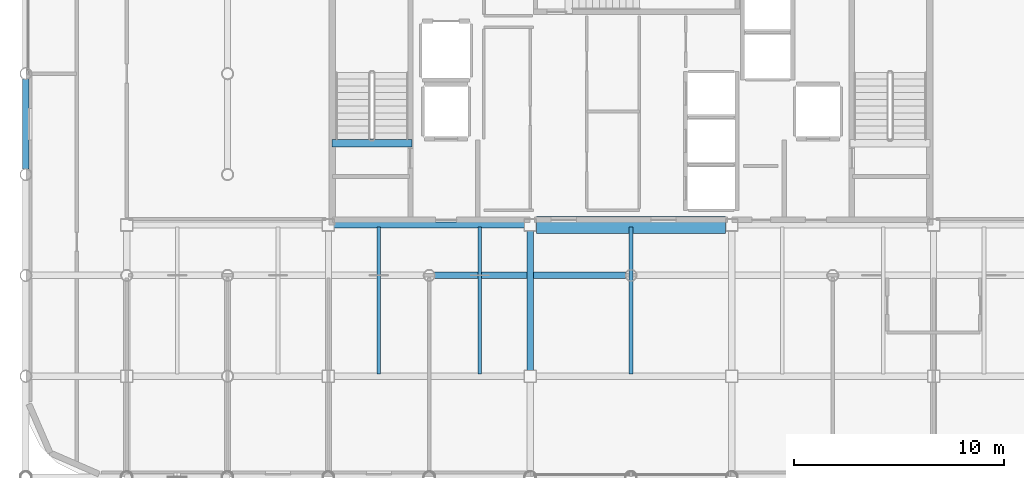
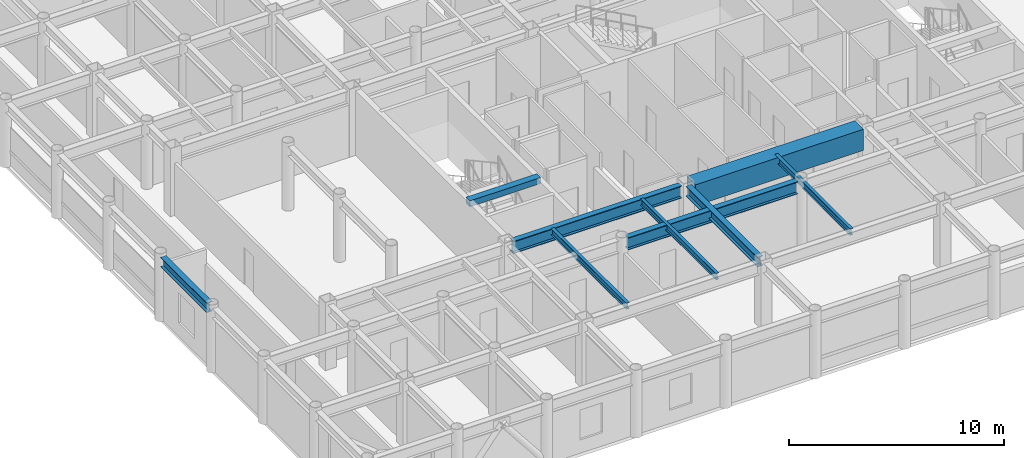
# One storey, part 5 of 22: 9 beams.
"""IFC4 building model written with IfcOpenShell, lengths in metres."""

from ifc_helpers import new_model, si_unit, direction, frame, origin, origin_2d, place, context, subcontext, project, spatial, rectangle, i_section, extrude, material, material_profile, profile_set, type_object, element, save


model = new_model("IFC4")

# Units and contexts
model_context = context("Model", 3, precision=1e-05, world=origin(), true_north=direction((0.0, 1.0)))
body_context = subcontext(model_context, "Body", "Model", "MODEL_VIEW")
ifc_project = project(units=[si_unit("LENGTHUNIT", "METRE"), si_unit("AREAUNIT", "SQUARE_METRE"), si_unit("VOLUMEUNIT", "CUBIC_METRE"), si_unit("PLANEANGLEUNIT", "RADIAN"), si_unit("MASSUNIT", "GRAM", prefix="KILO")], contexts=[model_context])

# Site, building, storey
site_placement = place(None, origin())
site = spatial("IfcSite", under=ifc_project, at=site_placement, CompositionType="ELEMENT")
building_placement = place(site_placement, origin())
building = spatial("IfcBuilding", under=site, at=building_placement, Name="Kallvorn Hotel Tower", CompositionType="ELEMENT")
storey_placement = place(building_placement, frame((0.0, 0.0, 230.0)))
storey = spatial("IfcBuildingStorey", under=building, at=storey_placement, Name="L57", CompositionType="ELEMENT", Elevation=230.0)

# Beams
ifc_material_1 = material(Name="Structural steel S355JR", Category="steel")
ifc_material_profile_1 = material_profile(ifc_material_1, i_section(OverallWidth=0.300048828125, OverallDepth=0.550048828125, WebThickness=0.014892578125, FlangeThickness=0.029052734375, at=origin_2d()), Name="HE 550 B")
ifc_profile_set_1 = profile_set([ifc_material_profile_1], Name="Structural steel S355JR")
beam_type_1 = type_object("IfcBeamType", Name="BM_HE550B", PredefinedType="SPANDREL", material=ifc_profile_set_1)
beam_1_placement = place(storey_placement, frame((-28.800048828125, -4.54541015625, 3.39501953125), z_axis=(0.0, 1.0, 0.0), x_axis=(-1.0, 0.0, 0.0)))
element("IfcBeam", 1, at=beam_1_placement, inside=storey, type_object=beam_type_1, Name="L58 Primary Y-Girder 76", PredefinedType="SPANDREL", context=body_context, shape_type="SweptSolid", body=[
    extrude(i_section(OverallWidth=0.300048828125, OverallDepth=0.550048828125, WebThickness=0.014892578125, FlangeThickness=0.029052734375, at=origin_2d()), origin(), (0.0, 0.0, 1.0), 4.291015625),
])
beam_2_placement = place(storey_placement, frame((-4.800048828125, -14.125, 3.39501953125), z_axis=(0.0, 1.0, 0.0), x_axis=(-1.0, 0.0, 0.0)))
element("IfcBeam", 2, at=beam_2_placement, inside=storey, type_object=beam_type_1, Name="L58 Primary Y-Girder 106", PredefinedType="SPANDREL", context=body_context, shape_type="SweptSolid", body=[
    extrude(i_section(OverallWidth=0.300048828125, OverallDepth=0.550048828125, WebThickness=0.014892578125, FlangeThickness=0.029052734375, at=origin_2d()), origin(), (0.0, 0.0, 1.0), 6.64990234375),
])
ifc_material_2 = material(Name="Structural steel S355JR", Category="steel")
ifc_material_profile_2 = material_profile(ifc_material_2, i_section(OverallWidth=0.300048828125, OverallDepth=0.699951171875, WebThickness=0.01708984375, FlangeThickness=0.031982421875, at=origin_2d()), Name="HE 700 B")
ifc_profile_set_2 = profile_set([ifc_material_profile_2], Name="Structural steel S355JR")
beam_type_2 = type_object("IfcBeamType", Name="BM_HE700B", PredefinedType="BEAM", material=ifc_profile_set_2)
beam_3_placement = place(storey_placement, frame((-9.345458984375, -9.60009765625, 3.320068359375), z_axis=(1.0, 0.0, 0.0), x_axis=(0.0, 1.0, 0.0)))
element("IfcBeam", 3, at=beam_3_placement, inside=storey, type_object=beam_type_2, Name="L58 Primary X-Girder 26", PredefinedType="BEAM", context=body_context, shape_type="SweptSolid", body=[
    extrude(i_section(OverallWidth=0.300048828125, OverallDepth=0.699951171875, WebThickness=0.01708984375, FlangeThickness=0.031982421875, at=origin_2d()), origin(), (0.0, 0.0, 1.0), 9.091064453125),
])
beam_4_placement = place(storey_placement, frame((-14.125, -7.199951171875, 3.320068359375), z_axis=(1.0, 0.0, 0.0), x_axis=(0.0, 1.0, 0.0)))
element("IfcBeam", 4, at=beam_4_placement, inside=storey, type_object=beam_type_2, Name="L58 Primary X-Girder 33", PredefinedType="BEAM", context=body_context, shape_type="SweptSolid", body=[
    extrude(i_section(OverallWidth=0.300048828125, OverallDepth=0.699951171875, WebThickness=0.01708984375, FlangeThickness=0.031982421875, at=origin_2d()), origin(), (0.0, 0.0, 1.0), 9.050048828125),
])
ifc_material_3 = material(Name="Structural steel S355JR", Category="steel")
ifc_material_profile_3 = material_profile(ifc_material_3, i_section(OverallWidth=0.169921875, OverallDepth=0.360107421875, WebThickness=0.008056640625, FlangeThickness=0.0126953125, at=origin_2d()), Name="IPE 360")
ifc_profile_set_3 = profile_set([ifc_material_profile_3], Name="Structural steel S355JR")
beam_type_3 = type_object("IfcBeamType", Name="BM_IPE360", PredefinedType="JOIST", material=ifc_profile_set_3)
for number, where, z_axis, x_axis, name in (
    (5, (-12.0, -14.300048828125, 3.489990234375), (0.0, 1.0, 0.0), (-1.0, 0.0, 0.0), "L58 Secondary Composite Joist 196"),
    (6, (-7.199951171875, -14.300048828125, 3.489990234375), (0.0, 1.0, 0.0), (-1.0, 0.0, 0.0), "L58 Secondary Composite Joist 198"),
    (7, (0.0, -14.300048828125, 3.489990234375), (0.0, 1.0, 0.0), (-1.0, 0.0, 0.0), "L58 Secondary Composite Joist 200"),
):
    element("IfcBeam", number, at=place(storey_placement, frame(where, z_axis=z_axis, x_axis=x_axis)), inside=storey, type_object=beam_type_3, Name=name, PredefinedType="JOIST", context=body_context, shape_type="SweptSolid", body=[
        extrude(i_section(OverallWidth=0.169921875, OverallDepth=0.360107421875, WebThickness=0.008056640625, FlangeThickness=0.0126953125, at=origin_2d()), origin(), (0.0, 0.0, 1.0), 7.0),
    ])
ifc_material_4 = material(Name="Concrete C50/60", Category="concrete")
ifc_material_profile_4 = material_profile(ifc_material_4, rectangle(XDim=0.360107421875, YDim=0.340087890625, at=origin_2d()), Name="RC 360x340")
ifc_profile_set_4 = profile_set([ifc_material_profile_4], Name="Concrete C50/60")
beam_type_4 = type_object("IfcBeamType", Name="BM_RC_400x360", PredefinedType="BEAM", material=ifc_profile_set_4)
beam_5_placement = place(storey_placement, frame((-10.419921875, -3.31005859375, 3.5), z_axis=(-1.0, 0.0, 0.0), x_axis=(0.0, -1.0, 0.0)))
element("IfcBeam", 8, at=beam_5_placement, inside=storey, type_object=beam_type_4, Name="L58 Stair ST1 Arrival Trimmer Beam", PredefinedType="BEAM", context=body_context, shape_type="SweptSolid", body=[
    extrude(rectangle(XDim=0.360107421875, YDim=0.340087890625, at=origin_2d()), origin(), (0.0, 0.0, 1.0), 3.820068359375),
])
ifc_material_5 = material(Name="Concrete C50/60", Category="concrete")
ifc_material_profile_5 = material_profile(ifc_material_5, rectangle(XDim=0.800048828125, YDim=1.199951171875, at=origin_2d()), Name="RC 800x1200")
ifc_profile_set_5 = profile_set([ifc_material_profile_5], Name="Concrete C50/60")
beam_type_5 = type_object("IfcBeamType", Name="BM_RC_800x1200", PredefinedType="T_BEAM", material=ifc_profile_set_5)
beam_6_placement = place(storey_placement, frame((-4.5, -7.199951171875, 3.070068359375), z_axis=(1.0, 0.0, 0.0), x_axis=(0.0, 1.0, 0.0)))
element("IfcBeam", 9, at=beam_6_placement, inside=storey, type_object=beam_type_5, Name="L57 Core Coupling Beam South", PredefinedType="T_BEAM", context=body_context, shape_type="SweptSolid", body=[
    extrude(rectangle(XDim=0.800048828125, YDim=1.199951171875, at=origin_2d()), origin(), (0.0, 0.0, 1.0), 9.0),
])

save(model, "model.ifc")
